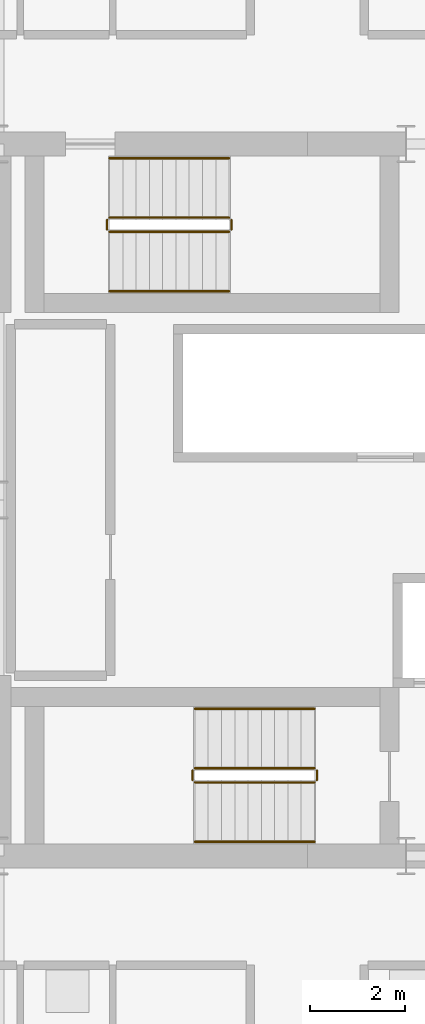
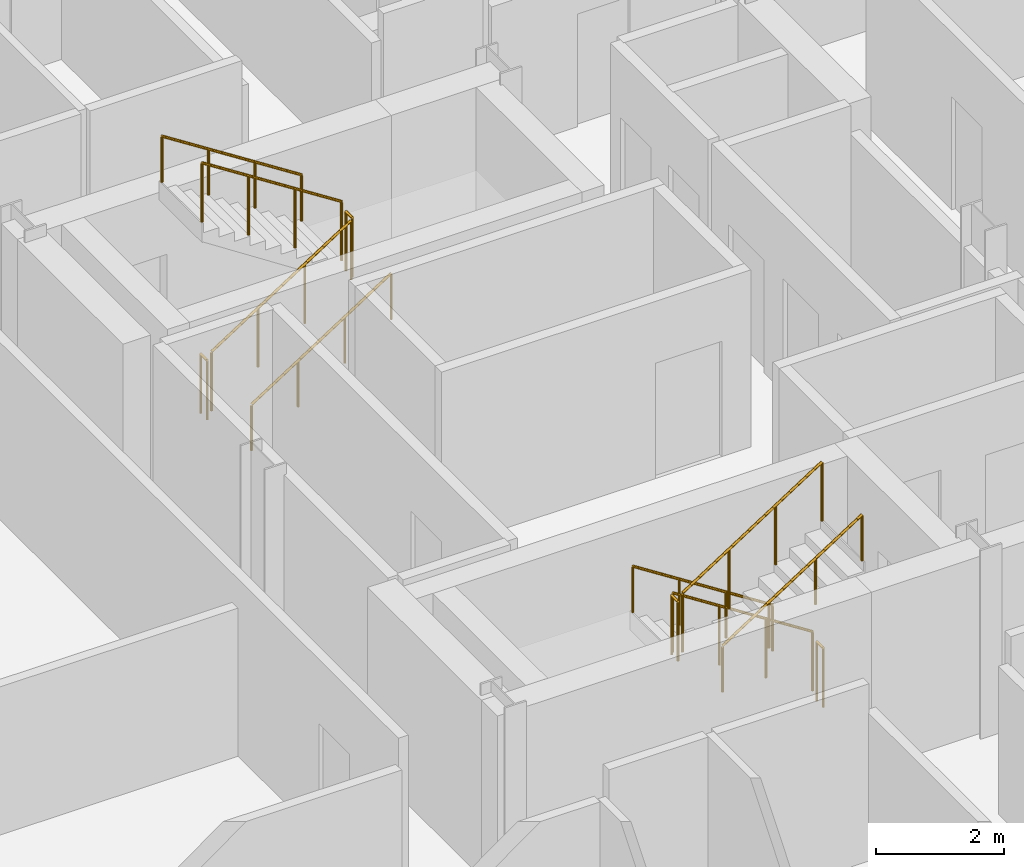
# One storey, part 23 of 24: 12 railings.
"""IFC4 building model written with IfcOpenShell, lengths in metres."""

from ifc_helpers import new_model, si_unit, direction, frame, origin, origin_2d, place, context, subcontext, project, spatial, circle, extrude, material, type_object, element, save


model = new_model("IFC4")

# Units and contexts
model_context = context("Model", 3, precision=1e-05, world=origin(), true_north=direction((0.0, 1.0)))
body_context = subcontext(model_context, "Body", "Model", "MODEL_VIEW")
ifc_project = project(units=[si_unit("LENGTHUNIT", "METRE"), si_unit("AREAUNIT", "SQUARE_METRE"), si_unit("VOLUMEUNIT", "CUBIC_METRE"), si_unit("PLANEANGLEUNIT", "RADIAN"), si_unit("MASSUNIT", "GRAM", prefix="KILO")], contexts=[model_context])

# Site, building, storey
site_placement = place(None, origin())
site = spatial("IfcSite", under=ifc_project, at=site_placement, CompositionType="ELEMENT")
building_placement = place(site_placement, origin())
building = spatial("IfcBuilding", under=site, at=building_placement, Name="Barlavira Tower and Art Museum", CompositionType="ELEMENT")
storey_placement = place(building_placement, frame((0.0, 0.0, 194.39990234375)))
storey = spatial("IfcBuildingStorey", under=building, at=storey_placement, Name="L50", CompositionType="ELEMENT", Elevation=194.39990234375)

# Railings
ifc_material = material(Name="Brushed stainless steel", Category="steel")
railing_type_1 = type_object("IfcRailingType", Name="Interior Void and Landing Guard Railing 1150", PredefinedType="GUARDRAIL", material=ifc_material)
railing_1_placement = place(storey_placement, frame((0.14990234375, -5.64990234375, 0.18017578125)))
element("IfcRailing", 1, at=railing_1_placement, inside=storey, type_object=railing_type_1, Name="L50 ST-T1 stair guard 1", PredefinedType="GUARDRAIL", context=body_context, shape_type="SweptSolid", body=[
    extrude(circle(Radius=0.02392578125, at=origin_2d()), frame((0.0, 0.0, 1.1259765625), z_axis=(-0.841199657755, 0.0, 0.540724639528), x_axis=(0.0, -1.0, 0.0)), (0.0, 0.0, 1.0), 2.995849609375),
    extrude(circle(Radius=0.02099609375, at=origin_2d()), origin(), (0.0, 0.0, 1.0), 1.101806640625),
    extrude(circle(Radius=0.02099609375, at=origin_2d()), frame((-0.840087890625, 0.0, 0.5400390625)), (0.0, 0.0, 1.0), 1.101806640625),
    extrude(circle(Radius=0.02099609375, at=origin_2d()), frame((-1.679931640625, 0.0, 1.079833984375)), (0.0, 0.0, 1.0), 1.101806640625),
    extrude(circle(Radius=0.02099609375, at=origin_2d()), frame((-2.52001953125, 0.0, 1.619873046875)), (0.0, 0.0, 1.0), 1.101806640625),
])
railing_2_placement = place(storey_placement, frame((-2.419921875, -5.699951171875, 1.800048828125)))
element("IfcRailing", 2, at=railing_2_placement, inside=storey, type_object=railing_type_1, Name="L50 ST-T1 stair guard 2", PredefinedType="GUARDRAIL", context=body_context, shape_type="SweptSolid", body=[
    extrude(circle(Radius=0.02392578125, at=origin_2d()), frame((0.0, 0.0, 1.1259765625), z_axis=(0.0, -1.0, 0.0), x_axis=(1.0, 0.0, 0.0)), (0.0, 0.0, 1.0), 0.199951171875),
    extrude(circle(Radius=0.02099609375, at=origin_2d()), origin(), (0.0, 0.0, 1.0), 1.101806640625),
    extrude(circle(Radius=0.02099609375, at=origin_2d()), frame((0.0, -0.199951171875, 0.0)), (0.0, 0.0, 1.0), 1.101806640625),
])
railing_3_placement = place(storey_placement, frame((-2.3701171875, -5.949951171875, 1.97998046875)))
element("IfcRailing", 3, at=railing_3_placement, inside=storey, type_object=railing_type_1, Name="L50 ST-T1 stair guard 3", PredefinedType="GUARDRAIL", context=body_context, shape_type="SweptSolid", body=[
    extrude(circle(Radius=0.02392578125, at=origin_2d()), frame((0.0, 0.0, 1.1259765625), z_axis=(0.841162588446, 0.0, 0.540782303519), x_axis=(0.0, 1.0, 0.0)), (0.0, 0.0, 1.0), 2.995849609375),
    extrude(circle(Radius=0.02099609375, at=origin_2d()), origin(), (0.0, 0.0, 1.0), 1.101806640625),
    extrude(circle(Radius=0.02099609375, at=origin_2d()), frame((0.840087890625, 0.0, 0.5400390625)), (0.0, 0.0, 1.0), 1.101806640625),
    extrude(circle(Radius=0.02099609375, at=origin_2d()), frame((1.679931640625, 0.0, 1.080078125)), (0.0, 0.0, 1.0), 1.101806640625),
    extrude(circle(Radius=0.02099609375, at=origin_2d()), frame((2.52001953125, 0.0, 1.6201171875)), (0.0, 0.0, 1.0), 1.101806640625),
])
railing_4_placement = place(storey_placement, frame((0.199951171875, -5.699951171875, 0.0)))
element("IfcRailing", 4, at=railing_4_placement, inside=storey, type_object=railing_type_1, Name="L50 ST-T1 stair guard 4", PredefinedType="GUARDRAIL", context=body_context, shape_type="SweptSolid", body=[
    extrude(circle(Radius=0.02392578125, at=origin_2d()), frame((0.0, 0.0, 1.1259765625), z_axis=(0.0, -1.0, 0.0), x_axis=(1.0, 0.0, 0.0)), (0.0, 0.0, 1.0), 0.199951171875),
    extrude(circle(Radius=0.02099609375, at=origin_2d()), origin(), (0.0, 0.0, 1.0), 1.101806640625),
    extrude(circle(Radius=0.02099609375, at=origin_2d()), frame((0.0, -0.199951171875, 0.0)), (0.0, 0.0, 1.0), 1.101806640625),
])
railing_5_placement = place(storey_placement, frame((-4.169921875, 5.64990234375, 0.18017578125)))
element("IfcRailing", 5, at=railing_5_placement, inside=storey, type_object=railing_type_1, Name="L50 ST-T2 stair guard 1", PredefinedType="GUARDRAIL", context=body_context, shape_type="SweptSolid", body=[
    extrude(circle(Radius=0.02392578125, at=origin_2d()), frame((0.0, 0.0, 1.1259765625), z_axis=(0.841199657755, 0.0, 0.540724639528), x_axis=(0.0, 1.0, 0.0)), (0.0, 0.0, 1.0), 2.995849609375),
    extrude(circle(Radius=0.02099609375, at=origin_2d()), origin(), (0.0, 0.0, 1.0), 1.101806640625),
    extrude(circle(Radius=0.02099609375, at=origin_2d()), frame((0.840087890625, 0.0, 0.5400390625)), (0.0, 0.0, 1.0), 1.101806640625),
    extrude(circle(Radius=0.02099609375, at=origin_2d()), frame((1.679931640625, 0.0, 1.079833984375)), (0.0, 0.0, 1.0), 1.101806640625),
    extrude(circle(Radius=0.02099609375, at=origin_2d()), frame((2.52001953125, 0.0, 1.619873046875)), (0.0, 0.0, 1.0), 1.101806640625),
])
railing_6_placement = place(storey_placement, frame((-1.60009765625, 5.699951171875, 1.800048828125)))
element("IfcRailing", 6, at=railing_6_placement, inside=storey, type_object=railing_type_1, Name="L50 ST-T2 stair guard 2", PredefinedType="GUARDRAIL", context=body_context, shape_type="SweptSolid", body=[
    extrude(circle(Radius=0.02392578125, at=origin_2d()), frame((0.0, 0.0, 1.1259765625), z_axis=(0.0, 1.0, 0.0), x_axis=(-1.0, 0.0, 0.0)), (0.0, 0.0, 1.0), 0.199951171875),
    extrude(circle(Radius=0.02099609375, at=origin_2d()), origin(), (0.0, 0.0, 1.0), 1.101806640625),
    extrude(circle(Radius=0.02099609375, at=origin_2d()), frame((0.0, 0.199951171875, 0.0)), (0.0, 0.0, 1.0), 1.101806640625),
])
railing_7_placement = place(storey_placement, frame((-1.64990234375, 5.949951171875, 1.97998046875)))
element("IfcRailing", 7, at=railing_7_placement, inside=storey, type_object=railing_type_1, Name="L50 ST-T2 stair guard 3", PredefinedType="GUARDRAIL", context=body_context, shape_type="SweptSolid", body=[
    extrude(circle(Radius=0.02392578125, at=origin_2d()), frame((0.0, 0.0, 1.1259765625), z_axis=(-0.841162588446, 0.0, 0.540782303519), x_axis=(0.0, -1.0, 0.0)), (0.0, 0.0, 1.0), 2.995849609375),
    extrude(circle(Radius=0.02099609375, at=origin_2d()), origin(), (0.0, 0.0, 1.0), 1.101806640625),
    extrude(circle(Radius=0.02099609375, at=origin_2d()), frame((-0.840087890625, 0.0, 0.5400390625)), (0.0, 0.0, 1.0), 1.101806640625),
    extrude(circle(Radius=0.02099609375, at=origin_2d()), frame((-1.679931640625, 0.0, 1.080078125)), (0.0, 0.0, 1.0), 1.101806640625),
    extrude(circle(Radius=0.02099609375, at=origin_2d()), frame((-2.52001953125, 0.0, 1.6201171875)), (0.0, 0.0, 1.0), 1.101806640625),
])
railing_8_placement = place(storey_placement, frame((-4.219970703125, 5.699951171875, 0.0)))
element("IfcRailing", 8, at=railing_8_placement, inside=storey, type_object=railing_type_1, Name="L50 ST-T2 stair guard 4", PredefinedType="GUARDRAIL", context=body_context, shape_type="SweptSolid", body=[
    extrude(circle(Radius=0.02392578125, at=origin_2d()), frame((0.0, 0.0, 1.1259765625), z_axis=(0.0, 1.0, 0.0), x_axis=(-1.0, 0.0, 0.0)), (0.0, 0.0, 1.0), 0.199951171875),
    extrude(circle(Radius=0.02099609375, at=origin_2d()), origin(), (0.0, 0.0, 1.0), 1.101806640625),
    extrude(circle(Radius=0.02099609375, at=origin_2d()), frame((0.0, 0.199951171875, 0.0)), (0.0, 0.0, 1.0), 1.101806640625),
])
railing_type_2 = type_object("IfcRailingType", Name="Stair Pitch Tubular Steel Handrail 920", PredefinedType="HANDRAIL", material=ifc_material)
railing_9_placement = place(storey_placement, frame((0.14990234375, -4.39990234375, 0.18017578125)))
element("IfcRailing", 9, at=railing_9_placement, inside=storey, type_object=railing_type_2, Name="L50 ST-T1 stair handrail 1", PredefinedType="HANDRAIL", context=body_context, shape_type="SweptSolid", body=[
    extrude(circle(Radius=0.02392578125, at=origin_2d()), frame((0.0, 0.0, 0.8759765625), z_axis=(-0.841199657755, 0.0, 0.540724639528), x_axis=(0.0, -1.0, 0.0)), (0.0, 0.0, 1.0), 2.995849609375),
    extrude(circle(Radius=0.02099609375, at=origin_2d()), origin(), (0.0, 0.0, 1.0), 0.851806640625),
    extrude(circle(Radius=0.02099609375, at=origin_2d()), frame((-0.840087890625, 0.0, 0.5400390625)), (0.0, 0.0, 1.0), 0.851806640625),
    extrude(circle(Radius=0.02099609375, at=origin_2d()), frame((-1.679931640625, 0.0, 1.079833984375)), (0.0, 0.0, 1.0), 0.851806640625),
    extrude(circle(Radius=0.02099609375, at=origin_2d()), frame((-2.52001953125, 0.0, 1.619873046875)), (0.0, 0.0, 1.0), 0.851806640625),
])
railing_10_placement = place(storey_placement, frame((-2.3701171875, -7.199951171875, 1.97998046875)))
element("IfcRailing", 10, at=railing_10_placement, inside=storey, type_object=railing_type_2, Name="L50 ST-T1 stair handrail 2", PredefinedType="HANDRAIL", context=body_context, shape_type="SweptSolid", body=[
    extrude(circle(Radius=0.02392578125, at=origin_2d()), frame((0.0, 0.0, 0.8759765625), z_axis=(0.841162588446, 0.0, 0.540782303519), x_axis=(0.0, 1.0, 0.0)), (0.0, 0.0, 1.0), 2.995849609375),
    extrude(circle(Radius=0.02099609375, at=origin_2d()), origin(), (0.0, 0.0, 1.0), 0.851806640625),
    extrude(circle(Radius=0.02099609375, at=origin_2d()), frame((0.840087890625, 0.0, 0.5400390625)), (0.0, 0.0, 1.0), 0.851806640625),
    extrude(circle(Radius=0.02099609375, at=origin_2d()), frame((1.679931640625, 0.0, 1.080078125)), (0.0, 0.0, 1.0), 0.851806640625),
    extrude(circle(Radius=0.02099609375, at=origin_2d()), frame((2.52001953125, 0.0, 1.6201171875)), (0.0, 0.0, 1.0), 0.851806640625),
])
railing_11_placement = place(storey_placement, frame((-4.169921875, 4.39990234375, 0.18017578125)))
element("IfcRailing", 11, at=railing_11_placement, inside=storey, type_object=railing_type_2, Name="L50 ST-T2 stair handrail 1", PredefinedType="HANDRAIL", context=body_context, shape_type="SweptSolid", body=[
    extrude(circle(Radius=0.02392578125, at=origin_2d()), frame((0.0, 0.0, 0.8759765625), z_axis=(0.841199657755, 0.0, 0.540724639528), x_axis=(0.0, 1.0, 0.0)), (0.0, 0.0, 1.0), 2.995849609375),
    extrude(circle(Radius=0.02099609375, at=origin_2d()), origin(), (0.0, 0.0, 1.0), 0.851806640625),
    extrude(circle(Radius=0.02099609375, at=origin_2d()), frame((0.840087890625, 0.0, 0.5400390625)), (0.0, 0.0, 1.0), 0.851806640625),
    extrude(circle(Radius=0.02099609375, at=origin_2d()), frame((1.679931640625, 0.0, 1.079833984375)), (0.0, 0.0, 1.0), 0.851806640625),
    extrude(circle(Radius=0.02099609375, at=origin_2d()), frame((2.52001953125, 0.0, 1.619873046875)), (0.0, 0.0, 1.0), 0.851806640625),
])
railing_12_placement = place(storey_placement, frame((-1.64990234375, 7.199951171875, 1.97998046875)))
element("IfcRailing", 12, at=railing_12_placement, inside=storey, type_object=railing_type_2, Name="L50 ST-T2 stair handrail 2", PredefinedType="HANDRAIL", context=body_context, shape_type="SweptSolid", body=[
    extrude(circle(Radius=0.02392578125, at=origin_2d()), frame((0.0, 0.0, 0.8759765625), z_axis=(-0.841162588446, 0.0, 0.540782303519), x_axis=(0.0, -1.0, 0.0)), (0.0, 0.0, 1.0), 2.995849609375),
    extrude(circle(Radius=0.02099609375, at=origin_2d()), origin(), (0.0, 0.0, 1.0), 0.851806640625),
    extrude(circle(Radius=0.02099609375, at=origin_2d()), frame((-0.840087890625, 0.0, 0.5400390625)), (0.0, 0.0, 1.0), 0.851806640625),
    extrude(circle(Radius=0.02099609375, at=origin_2d()), frame((-1.679931640625, 0.0, 1.080078125)), (0.0, 0.0, 1.0), 0.851806640625),
    extrude(circle(Radius=0.02099609375, at=origin_2d()), frame((-2.52001953125, 0.0, 1.6201171875)), (0.0, 0.0, 1.0), 0.851806640625),
])

save(model, "model.ifc")
